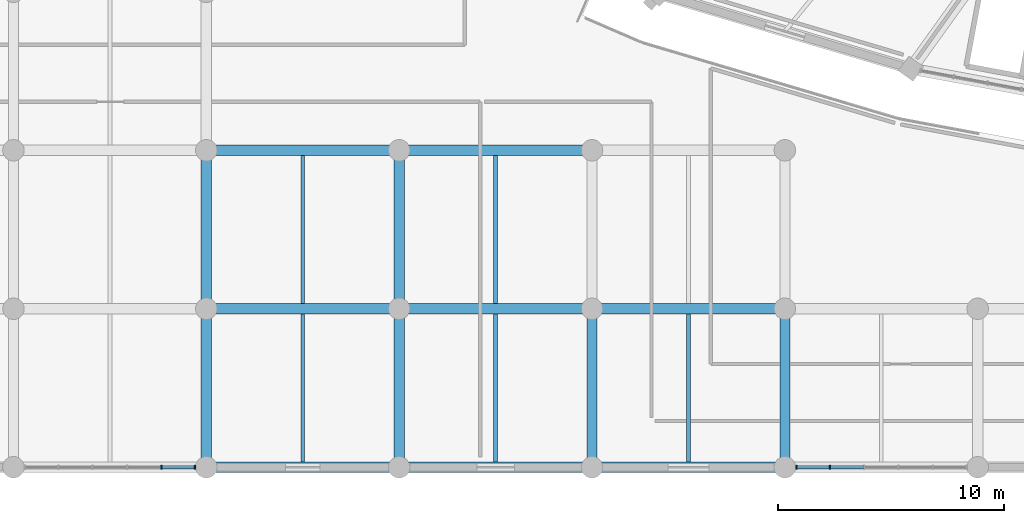
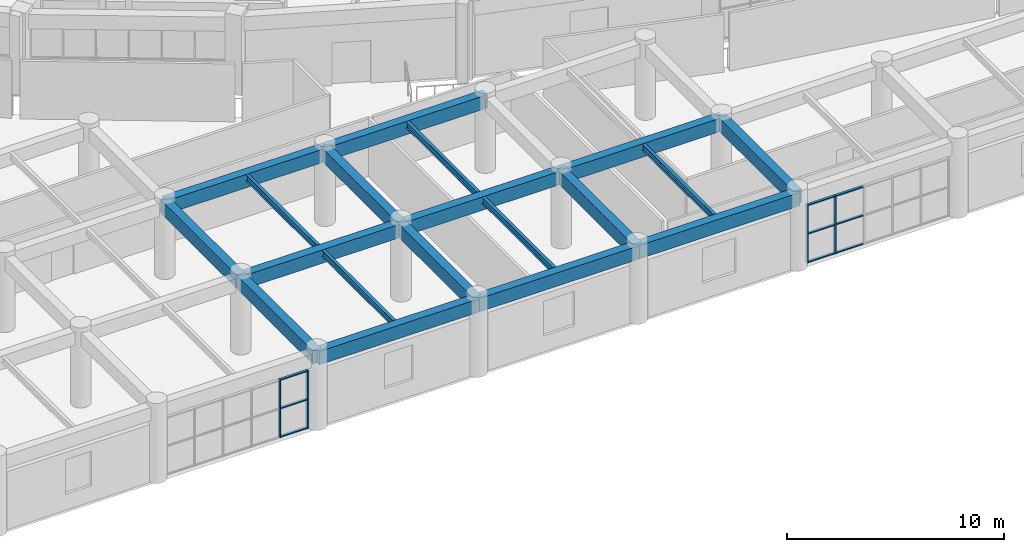
# One storey, part 13 of 145: 19 beams, 13 members, 2 elements without a shape of their own.
"""IFC4 building model written with IfcOpenShell, lengths in metres."""

from ifc_helpers import new_model, si_unit, direction, frame, origin, origin_2d, place, context, subcontext, project, spatial, rectangle, i_section, extrude, material, layer, layer_set, material_profile, profile_set, type_object, element, aggregate, save


model = new_model("IFC4")

# Units and contexts
model_context = context("Model", 3, precision=1e-05, world=origin(), true_north=direction((0.0, 1.0)))
body_context = subcontext(model_context, "Body", "Model", "MODEL_VIEW")
ifc_project = project(units=[si_unit("LENGTHUNIT", "METRE"), si_unit("AREAUNIT", "SQUARE_METRE"), si_unit("VOLUMEUNIT", "CUBIC_METRE"), si_unit("PLANEANGLEUNIT", "RADIAN"), si_unit("MASSUNIT", "GRAM", prefix="KILO")], contexts=[model_context])

# Site, building, storey
site_placement = place(None, origin())
site = spatial("IfcSite", under=ifc_project, at=site_placement, CompositionType="ELEMENT")
building_placement = place(site_placement, origin())
building = spatial("IfcBuilding", under=site, at=building_placement, Name="Mphavela Belvedere Stadium", CompositionType="ELEMENT")
storey_placement = place(building_placement, frame((0.0, 0.0, 10.199951171875)))
storey = spatial("IfcBuildingStorey", under=building, at=storey_placement, Name="L02", CompositionType="ELEMENT", Elevation=10.199951171875)

# Beams
ifc_material_1 = material(Name="Steel S355", Category="steel")
ifc_material_profile_1 = material_profile(ifc_material_1, i_section(OverallWidth=0.169921875, OverallDepth=0.360107421875, WebThickness=0.008056640625, FlangeThickness=0.0126953125, at=origin_2d()), Name="IPE 360")
ifc_profile_set_1 = profile_set([ifc_material_profile_1], Name="Steel S355")
beam_type_1 = type_object("IfcBeamType", Name="BM-JOIST-IPE360", PredefinedType="JOIST", material=ifc_profile_set_1)
for number, where, z_axis, x_axis, name in (
    (1, (38.33349609375, 0.22509765625, 4.06005859375), (0.0, 1.0, 0.0), (-1.0, 0.0, 0.0), "South Axial Triumphal Peristyle Portico secondary joist L02 5-1"),
    (2, (38.33349609375, 7.22509765625, 4.06005859375), (0.0, 1.0, 0.0), (-1.0, 0.0, 0.0), "South Axial Triumphal Peristyle Portico secondary joist L02 5-2"),
    (3, (46.85205078125, 0.22509765625, 4.06005859375), (0.0, 1.0, 0.0), (-1.0, 0.0, 0.0), "South Axial Triumphal Peristyle Portico secondary joist L02 6-1"),
    (4, (46.85205078125, 7.22509765625, 4.06005859375), (0.0, 1.0, 0.0), (-1.0, 0.0, 0.0), "South Axial Triumphal Peristyle Portico secondary joist L02 6-2"),
    (5, (55.37060546875, 0.22509765625, 4.06005859375), (0.0, 1.0, 0.0), (-1.0, 0.0, 0.0), "South Axial Triumphal Peristyle Portico secondary joist L02 7-1"),
):
    element("IfcBeam", number, at=place(storey_placement, frame(where, z_axis=z_axis, x_axis=x_axis)), inside=storey, type_object=beam_type_1, Name=name, PredefinedType="JOIST", context=body_context, shape_type="SweptSolid", body=[
        extrude(i_section(OverallWidth=0.169921875, OverallDepth=0.360107421875, WebThickness=0.008056640625, FlangeThickness=0.0126953125, at=origin_2d()), origin(), (0.0, 0.0, 1.0), 6.5498046875),
    ])
ifc_material_2 = material(Name="Concrete C40/50", Category="concrete")
ifc_material_profile_2 = material_profile(ifc_material_2, rectangle(XDim=0.449951171875, YDim=0.75, at=origin_2d()), Name="RC 450x750")
ifc_profile_set_2 = profile_set([ifc_material_profile_2], Name="Concrete C40/50")
beam_type_2 = type_object("IfcBeamType", Name="BM-RC450x750", PredefinedType="BEAM", material=ifc_profile_set_2)
beam_1_placement = place(storey_placement, frame((34.073974609375, 0.0, 3.864990234375), z_axis=(1.0, 0.0, 0.0), x_axis=(0.0, 1.0, 0.0)))
element("IfcBeam", 6, at=beam_1_placement, inside=storey, type_object=beam_type_2, Name="South Axial Triumphal Peristyle Portico entablature beam X L02 5-1", PredefinedType="BEAM", context=body_context, shape_type="SweptSolid", body=[
    extrude(rectangle(XDim=0.449951171875, YDim=0.75, at=origin_2d()), origin(), (0.0, 0.0, 1.0), 8.51904296875),
])
beam_2_placement = place(storey_placement, frame((34.073974609375, 0.0, 3.864990234375), z_axis=(0.0, 1.0, 0.0), x_axis=(-1.0, 0.0, 0.0)))
element("IfcBeam", 7, at=beam_2_placement, inside=storey, type_object=beam_type_2, Name="South Axial Triumphal Peristyle Portico entablature beam Y L02 5-1", PredefinedType="BEAM", context=body_context, shape_type="SweptSolid", body=[
    extrude(rectangle(XDim=0.449951171875, YDim=0.75, at=origin_2d()), origin(), (0.0, 0.0, 1.0), 7.0),
])
beam_3_placement = place(storey_placement, frame((34.073974609375, 7.0, 3.864990234375), z_axis=(1.0, 0.0, 0.0), x_axis=(0.0, 1.0, 0.0)))
element("IfcBeam", 8, at=beam_3_placement, inside=storey, type_object=beam_type_2, Name="South Axial Triumphal Peristyle Portico entablature beam X L02 5-2", PredefinedType="BEAM", context=body_context, shape_type="SweptSolid", body=[
    extrude(rectangle(XDim=0.449951171875, YDim=0.75, at=origin_2d()), origin(), (0.0, 0.0, 1.0), 8.51904296875),
])
beam_4_placement = place(storey_placement, frame((34.073974609375, 7.0, 3.864990234375), z_axis=(0.0, 1.0, 0.0), x_axis=(-1.0, 0.0, 0.0)))
element("IfcBeam", 9, at=beam_4_placement, inside=storey, type_object=beam_type_2, Name="South Axial Triumphal Peristyle Portico entablature beam Y L02 5-2", PredefinedType="BEAM", context=body_context, shape_type="SweptSolid", body=[
    extrude(rectangle(XDim=0.449951171875, YDim=0.75, at=origin_2d()), origin(), (0.0, 0.0, 1.0), 7.0),
])
beam_5_placement = place(storey_placement, frame((34.073974609375, 14.0, 3.864990234375), z_axis=(1.0, 0.0, 0.0), x_axis=(0.0, 1.0, 0.0)))
element("IfcBeam", 10, at=beam_5_placement, inside=storey, type_object=beam_type_2, Name="South Axial Triumphal Peristyle Portico entablature beam X L02 5-3", PredefinedType="BEAM", context=body_context, shape_type="SweptSolid", body=[
    extrude(rectangle(XDim=0.449951171875, YDim=0.75, at=origin_2d()), origin(), (0.0, 0.0, 1.0), 8.51904296875),
])
beam_6_placement = place(storey_placement, frame((42.593017578125, 0.0, 3.864990234375), z_axis=(1.0, 0.0, 0.0), x_axis=(0.0, 1.0, 0.0)))
element("IfcBeam", 11, at=beam_6_placement, inside=storey, type_object=beam_type_2, Name="South Axial Triumphal Peristyle Portico entablature beam X L02 6-1", PredefinedType="BEAM", context=body_context, shape_type="SweptSolid", body=[
    extrude(rectangle(XDim=0.449951171875, YDim=0.75, at=origin_2d()), origin(), (0.0, 0.0, 1.0), 8.51806640625),
])
beam_7_placement = place(storey_placement, frame((42.593017578125, 0.0, 3.864990234375), z_axis=(0.0, 1.0, 0.0), x_axis=(-1.0, 0.0, 0.0)))
element("IfcBeam", 12, at=beam_7_placement, inside=storey, type_object=beam_type_2, Name="South Axial Triumphal Peristyle Portico entablature beam Y L02 6-1", PredefinedType="BEAM", context=body_context, shape_type="SweptSolid", body=[
    extrude(rectangle(XDim=0.449951171875, YDim=0.75, at=origin_2d()), origin(), (0.0, 0.0, 1.0), 7.0),
])
beam_8_placement = place(storey_placement, frame((42.593017578125, 7.0, 3.864990234375), z_axis=(1.0, 0.0, 0.0), x_axis=(0.0, 1.0, 0.0)))
element("IfcBeam", 13, at=beam_8_placement, inside=storey, type_object=beam_type_2, Name="South Axial Triumphal Peristyle Portico entablature beam X L02 6-2", PredefinedType="BEAM", context=body_context, shape_type="SweptSolid", body=[
    extrude(rectangle(XDim=0.449951171875, YDim=0.75, at=origin_2d()), origin(), (0.0, 0.0, 1.0), 8.51806640625),
])
beam_9_placement = place(storey_placement, frame((42.593017578125, 7.0, 3.864990234375), z_axis=(0.0, 1.0, 0.0), x_axis=(-1.0, 0.0, 0.0)))
element("IfcBeam", 14, at=beam_9_placement, inside=storey, type_object=beam_type_2, Name="South Axial Triumphal Peristyle Portico entablature beam Y L02 6-2", PredefinedType="BEAM", context=body_context, shape_type="SweptSolid", body=[
    extrude(rectangle(XDim=0.449951171875, YDim=0.75, at=origin_2d()), origin(), (0.0, 0.0, 1.0), 7.0),
])
beam_10_placement = place(storey_placement, frame((42.593017578125, 14.0, 3.864990234375), z_axis=(1.0, 0.0, 0.0), x_axis=(0.0, 1.0, 0.0)))
element("IfcBeam", 15, at=beam_10_placement, inside=storey, type_object=beam_type_2, Name="South Axial Triumphal Peristyle Portico entablature beam X L02 6-3", PredefinedType="BEAM", context=body_context, shape_type="SweptSolid", body=[
    extrude(rectangle(XDim=0.449951171875, YDim=0.75, at=origin_2d()), origin(), (0.0, 0.0, 1.0), 8.51806640625),
])
beam_11_placement = place(storey_placement, frame((51.111083984375, 0.0, 3.864990234375), z_axis=(1.0, 0.0, 0.0), x_axis=(0.0, 1.0, 0.0)))
element("IfcBeam", 16, at=beam_11_placement, inside=storey, type_object=beam_type_2, Name="South Axial Triumphal Peristyle Portico entablature beam X L02 7-1", PredefinedType="BEAM", context=body_context, shape_type="SweptSolid", body=[
    extrude(rectangle(XDim=0.449951171875, YDim=0.75, at=origin_2d()), origin(), (0.0, 0.0, 1.0), 8.518798828125),
])
beam_12_placement = place(storey_placement, frame((51.111083984375, 0.0, 3.864990234375), z_axis=(0.0, 1.0, 0.0), x_axis=(-1.0, 0.0, 0.0)))
element("IfcBeam", 17, at=beam_12_placement, inside=storey, type_object=beam_type_2, Name="South Axial Triumphal Peristyle Portico entablature beam Y L02 7-1", PredefinedType="BEAM", context=body_context, shape_type="SweptSolid", body=[
    extrude(rectangle(XDim=0.449951171875, YDim=0.75, at=origin_2d()), origin(), (0.0, 0.0, 1.0), 7.0),
])
beam_13_placement = place(storey_placement, frame((51.111083984375, 7.0, 3.864990234375), z_axis=(1.0, 0.0, 0.0), x_axis=(0.0, 1.0, 0.0)))
element("IfcBeam", 18, at=beam_13_placement, inside=storey, type_object=beam_type_2, Name="South Axial Triumphal Peristyle Portico entablature beam X L02 7-2", PredefinedType="BEAM", context=body_context, shape_type="SweptSolid", body=[
    extrude(rectangle(XDim=0.449951171875, YDim=0.75, at=origin_2d()), origin(), (0.0, 0.0, 1.0), 8.518798828125),
])
beam_14_placement = place(storey_placement, frame((59.6298828125, 0.0, 3.864990234375), z_axis=(0.0, 1.0, 0.0), x_axis=(-1.0, 0.0, 0.0)))
element("IfcBeam", 19, at=beam_14_placement, inside=storey, type_object=beam_type_2, Name="South Axial Triumphal Peristyle Portico entablature beam Y L02 8-1", PredefinedType="BEAM", context=body_context, shape_type="SweptSolid", body=[
    extrude(rectangle(XDim=0.449951171875, YDim=0.75, at=origin_2d()), origin(), (0.0, 0.0, 1.0), 7.0),
])

# Curtain wall, members
ifc_material_3 = material(Name="Anodised bronze unitised curtain wall framing")
ifc_layer_1 = layer(ifc_material_3, 0.179931640625)
ifc_layer_set_1 = layer_set([ifc_layer_1], Name="Anodised bronze unitised curtain wall framing")
curtain_wall_type_1 = type_object("IfcCurtainWallType", Name="CW-UNIT-01", PredefinedType="USERDEFINED", material=ifc_layer_set_1)
curtain_wall_1_placement = place(storey_placement, origin())
curtain_wall_1 = element("IfcCurtainWall", 20, at=curtain_wall_1_placement, inside=storey, type_object=curtain_wall_type_1, Name="South Axial Triumphal Peristyle Portico gallery curtain wall L02-04", ObjectType="UNITISED CURTAIN WALL", PredefinedType="USERDEFINED")
ifc_material_4 = material(Name="Anodised bronze extruded aluminium", Category="aluminium")
ifc_material_profile_3 = material_profile(ifc_material_4, rectangle(XDim=0.179931640625, YDim=0.06494140625, at=origin_2d()), Name="CW-MUL 180x65")
ifc_profile_set_3 = profile_set([ifc_material_profile_3], Name="Anodised bronze extruded aluminium")
member_type_1 = type_object("IfcMemberType", Name="CWM-180x65", PredefinedType="MULLION", material=ifc_profile_set_3)
member_1_placement = place(storey_placement, frame((33.568603515625, 0.0, 0.0), z_axis=(0.0, 0.0, 1.0), x_axis=(0.0, -1.0, 0.0)))
member_1 = element("IfcMember", 21, at=member_1_placement, type_object=member_type_1, Name="CW-01 mullion 1", PredefinedType="MULLION", context=body_context, shape_type="SweptSolid", body=[
    extrude(rectangle(XDim=0.179931640625, YDim=0.06494140625, at=origin_2d()), origin(), (0.0, 0.0, 1.0), 3.260009765625),
])
member_2_placement = place(storey_placement, frame((32.086669921875, 0.0, 0.0), z_axis=(0.0, 0.0, 1.0), x_axis=(0.0, -1.0, 0.0)))
member_2 = element("IfcMember", 22, at=member_2_placement, type_object=member_type_1, Name="CW-01 mullion 2", PredefinedType="MULLION", context=body_context, shape_type="SweptSolid", body=[
    extrude(rectangle(XDim=0.179931640625, YDim=0.06494140625, at=origin_2d()), origin(), (0.0, 0.0, 1.0), 3.260009765625),
])

ifc_material_5 = material(Name="Anodised bronze unitised curtain wall framing")
ifc_layer_2 = layer(ifc_material_5, 0.18505859375)
ifc_layer_set_2 = layer_set([ifc_layer_2], Name="Anodised bronze unitised curtain wall framing")
curtain_wall_type_2 = type_object("IfcCurtainWallType", Name="CW-UNIT-02", PredefinedType="USERDEFINED", material=ifc_layer_set_2)
curtain_wall_2_placement = place(storey_placement, origin())
curtain_wall_2 = element("IfcCurtainWall", 23, at=curtain_wall_2_placement, inside=storey, type_object=curtain_wall_type_2, Name="South Axial Triumphal Peristyle Portico gallery curtain wall L02-08", ObjectType="UNITISED CURTAIN WALL", PredefinedType="USERDEFINED")
member_3_placement = place(storey_placement, frame((61.617431640625, 0.0, 0.0), z_axis=(0.0, 0.0, 1.0), x_axis=(0.0, -1.0, 0.0)))
member_3 = element("IfcMember", 24, at=member_3_placement, type_object=member_type_1, Name="CW-02 mullion 5", PredefinedType="MULLION", context=body_context, shape_type="SweptSolid", body=[
    extrude(rectangle(XDim=0.179931640625, YDim=0.06494140625, at=origin_2d()), origin(), (0.0, 0.0, 1.0), 3.260009765625),
])
member_4_placement = place(storey_placement, frame((60.135498046875, 0.0, 0.0), z_axis=(0.0, 0.0, 1.0), x_axis=(0.0, -1.0, 0.0)))
member_4 = element("IfcMember", 25, at=member_4_placement, type_object=member_type_1, Name="CW-02 mullion 6", PredefinedType="MULLION", context=body_context, shape_type="SweptSolid", body=[
    extrude(rectangle(XDim=0.179931640625, YDim=0.06494140625, at=origin_2d()), origin(), (0.0, 0.0, 1.0), 3.260009765625),
])

# Member
ifc_material_6 = material(Name="Anodised bronze extruded aluminium", Category="aluminium")
ifc_material_profile_4 = material_profile(ifc_material_6, rectangle(XDim=0.139892578125, YDim=0.06005859375, at=origin_2d()), Name="CW-TRN 140x60")
ifc_profile_set_4 = profile_set([ifc_material_profile_4], Name="Anodised bronze extruded aluminium")
member_type_2 = type_object("IfcMemberType", Name="CWT-140x60", PredefinedType="USERDEFINED", material=ifc_profile_set_4)
member_5_placement = place(storey_placement, frame((33.535888671875, 0.0, 0.030029296875), z_axis=(-1.0, 0.0, 0.0), x_axis=(0.0, -1.0, 0.0)))
member_5 = element("IfcMember", 26, at=member_5_placement, type_object=member_type_2, Name="CW-01 transom 1.1", ObjectType="TRANSOM", PredefinedType="USERDEFINED", context=body_context, shape_type="SweptSolid", body=[
    extrude(rectangle(XDim=0.139892578125, YDim=0.06005859375, at=origin_2d()), origin(), (0.0, 0.0, 1.0), 1.416748046875),
])

member_6_placement = place(storey_placement, frame((33.535888671875, 0.0, 1.630126953125), z_axis=(-1.0, 0.0, 0.0), x_axis=(0.0, -1.0, 0.0)))
member_6 = element("IfcMember", 27, at=member_6_placement, type_object=member_type_2, Name="CW-01 transom 1.2", ObjectType="TRANSOM", PredefinedType="USERDEFINED", context=body_context, shape_type="SweptSolid", body=[
    extrude(rectangle(XDim=0.139892578125, YDim=0.06005859375, at=origin_2d()), origin(), (0.0, 0.0, 1.0), 1.416748046875),
])

member_7_placement = place(storey_placement, frame((33.535888671875, 0.0, 3.22998046875), z_axis=(-1.0, 0.0, 0.0), x_axis=(0.0, -1.0, 0.0)))
member_7 = element("IfcMember", 28, at=member_7_placement, type_object=member_type_2, Name="CW-01 transom 1.3", ObjectType="TRANSOM", PredefinedType="USERDEFINED", context=body_context, shape_type="SweptSolid", body=[
    extrude(rectangle(XDim=0.139892578125, YDim=0.06005859375, at=origin_2d()), origin(), (0.0, 0.0, 1.0), 1.416748046875),
])

aggregate(curtain_wall_1, [member_1, member_2, member_5, member_6, member_7])

member_8_placement = place(storey_placement, frame((63.099365234375, 0.0, 0.030029296875), z_axis=(-1.0, 0.0, 0.0), x_axis=(0.0, -1.0, 0.0)))
member_8 = element("IfcMember", 29, at=member_8_placement, type_object=member_type_2, Name="CW-02 transom 4.1", ObjectType="TRANSOM", PredefinedType="USERDEFINED", context=body_context, shape_type="SweptSolid", body=[
    extrude(rectangle(XDim=0.139892578125, YDim=0.06005859375, at=origin_2d()), origin(), (0.0, 0.0, 1.0), 1.449462890625),
])

member_9_placement = place(storey_placement, frame((63.099365234375, 0.0, 1.630126953125), z_axis=(-1.0, 0.0, 0.0), x_axis=(0.0, -1.0, 0.0)))
member_9 = element("IfcMember", 30, at=member_9_placement, type_object=member_type_2, Name="CW-02 transom 4.2", ObjectType="TRANSOM", PredefinedType="USERDEFINED", context=body_context, shape_type="SweptSolid", body=[
    extrude(rectangle(XDim=0.139892578125, YDim=0.06005859375, at=origin_2d()), origin(), (0.0, 0.0, 1.0), 1.449462890625),
])

member_10_placement = place(storey_placement, frame((63.099365234375, 0.0, 3.22998046875), z_axis=(-1.0, 0.0, 0.0), x_axis=(0.0, -1.0, 0.0)))
member_10 = element("IfcMember", 31, at=member_10_placement, type_object=member_type_2, Name="CW-02 transom 4.3", ObjectType="TRANSOM", PredefinedType="USERDEFINED", context=body_context, shape_type="SweptSolid", body=[
    extrude(rectangle(XDim=0.139892578125, YDim=0.06005859375, at=origin_2d()), origin(), (0.0, 0.0, 1.0), 1.449462890625),
])

member_11_placement = place(storey_placement, frame((61.5849609375, 0.0, 0.030029296875), z_axis=(-1.0, 0.0, 0.0), x_axis=(0.0, -1.0, 0.0)))
member_11 = element("IfcMember", 32, at=member_11_placement, type_object=member_type_2, Name="CW-02 transom 5.1", ObjectType="TRANSOM", PredefinedType="USERDEFINED", context=body_context, shape_type="SweptSolid", body=[
    extrude(rectangle(XDim=0.139892578125, YDim=0.06005859375, at=origin_2d()), origin(), (0.0, 0.0, 1.0), 1.4169921875),
])

member_12_placement = place(storey_placement, frame((61.5849609375, 0.0, 1.630126953125), z_axis=(-1.0, 0.0, 0.0), x_axis=(0.0, -1.0, 0.0)))
member_12 = element("IfcMember", 33, at=member_12_placement, type_object=member_type_2, Name="CW-02 transom 5.2", ObjectType="TRANSOM", PredefinedType="USERDEFINED", context=body_context, shape_type="SweptSolid", body=[
    extrude(rectangle(XDim=0.139892578125, YDim=0.06005859375, at=origin_2d()), origin(), (0.0, 0.0, 1.0), 1.4169921875),
])

member_13_placement = place(storey_placement, frame((61.5849609375, 0.0, 3.22998046875), z_axis=(-1.0, 0.0, 0.0), x_axis=(0.0, -1.0, 0.0)))
member_13 = element("IfcMember", 34, at=member_13_placement, type_object=member_type_2, Name="CW-02 transom 5.3", ObjectType="TRANSOM", PredefinedType="USERDEFINED", context=body_context, shape_type="SweptSolid", body=[
    extrude(rectangle(XDim=0.139892578125, YDim=0.06005859375, at=origin_2d()), origin(), (0.0, 0.0, 1.0), 1.4169921875),
])

aggregate(curtain_wall_2, [member_3, member_4, member_8, member_9, member_10, member_11, member_12, member_13])

save(model, "model.ifc")
